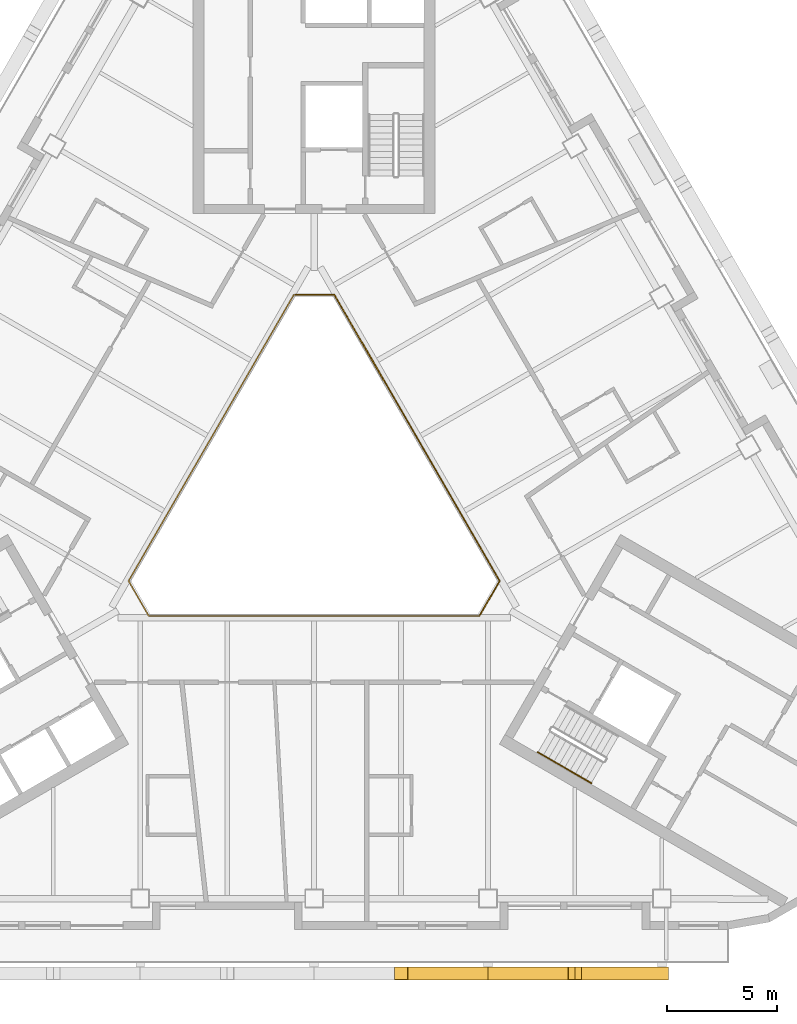
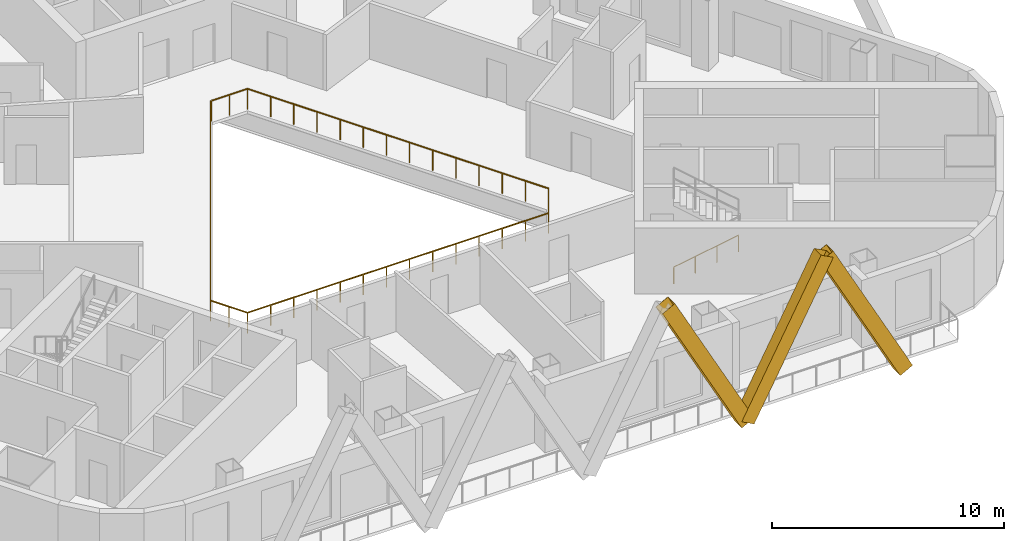
# One storey, part 10 of 13: 3 railings, 3 shading devices.
"""IFC4 building model written with IfcOpenShell, lengths in metres."""

from ifc_helpers import new_model, si_unit, direction, frame, origin, origin_2d, place, context, subcontext, project, spatial, rectangle, hollow_rectangle, circle, extrude, material, material_profile, profile_set, type_object, element, save


model = new_model("IFC4")

# Units and contexts
model_context = context("Model", 3, precision=1e-05, world=origin(), true_north=direction((0.0, 1.0)))
body_context = subcontext(model_context, "Body", "Model", "MODEL_VIEW")
ifc_project = project(units=[si_unit("LENGTHUNIT", "METRE"), si_unit("AREAUNIT", "SQUARE_METRE"), si_unit("VOLUMEUNIT", "CUBIC_METRE"), si_unit("PLANEANGLEUNIT", "RADIAN"), si_unit("MASSUNIT", "GRAM", prefix="KILO")], contexts=[model_context])

# Site, building, storey
site_placement = place(None, origin())
site = spatial("IfcSite", under=ifc_project, at=site_placement, CompositionType="ELEMENT")
building_placement = place(site_placement, origin())
building = spatial("IfcBuilding", under=site, at=building_placement, Name="Apuvela Tower Hotel", CompositionType="ELEMENT")
storey_placement = place(building_placement, frame((0.0, 0.0, 161.39990234375)))
storey = spatial("IfcBuildingStorey", under=building, at=storey_placement, Name="L38", CompositionType="ELEMENT", Elevation=161.39990234375)

# Railing
ifc_material_1 = material(Name="Stainless steel 316 handrail", Category="steel")
railing_type_1 = type_object("IfcRailingType", Name="COR-HANDRAIL-900", PredefinedType="HANDRAIL", material=ifc_material_1)
railing_1_placement = place(storey_placement, frame((10.1689453125, -11.5869140625, 0.168212890625)))
element("IfcRailing", 1, at=railing_1_placement, inside=storey, type_object=railing_type_1, Name="L38 ST3 stair handrail 1", PredefinedType="HANDRAIL", context=body_context, shape_type="SweptSolid", body=[
    extrude(circle(Radius=0.02392578125, at=origin_2d()), frame((0.0, 0.0, 0.8759765625), z_axis=(0.742390482028, -0.42860119049, 0.514934356695), x_axis=(0.49998411664, 0.866034573852, 0.0)), (0.0, 0.0, 1.0), 3.26611328125),
    extrude(rectangle(XDim=0.0419921875, YDim=0.0419921875, at=origin_2d()), origin(), (0.0, 0.0, 1.0), 0.851806640625),
    extrude(rectangle(XDim=0.0419921875, YDim=0.0419921875, at=origin_2d()), frame((0.808349609375, -0.466552734375, 0.560546875)), (0.0, 0.0, 1.0), 0.851806640625),
    extrude(rectangle(XDim=0.0419921875, YDim=0.0419921875, at=origin_2d()), frame((1.616455078125, -0.933349609375, 1.121337890625)), (0.0, 0.0, 1.0), 0.851806640625),
    extrude(rectangle(XDim=0.0419921875, YDim=0.0419921875, at=origin_2d()), frame((2.4248046875, -1.39990234375, 1.681884765625)), (0.0, 0.0, 1.0), 0.851806640625),
])

# Shading devices
ifc_material_2 = material(Name="Aluminium 6063-T6, black anodised", Category="aluminium")
ifc_material_profile = material_profile(ifc_material_2, hollow_rectangle(XDim=0.60009765625, YDim=0.699951171875, WallThickness=0.011962890625, at=origin_2d()), Name="AL BOX 700x600x12")
ifc_profile_set = profile_set([ifc_material_profile], Name="Aluminium 6063-T6, black anodised")
shading_device_type = type_object("IfcShadingDeviceType", Name="ENV-FIN-700x600", PredefinedType="USERDEFINED", material=ifc_profile_set)
for number, where, z_axis, x_axis, name in (
    (2, (7.89990234375, -21.6298828125, -0.099853515625), (-0.470897892863, 0.0, 0.882187720668), (0.0, -1.0, 0.0), "Lattice fin S310"),
    (3, (7.89990234375, -21.6298828125, -0.099853515625), (0.470920543904, 0.0, 0.882175629526), (0.0, 1.0, 0.0), "Lattice fin S311"),
    (4, (15.800048828125, -21.6298828125, -0.099853515625), (-0.470897892863, 0.0, 0.882187720668), (0.0, -1.0, 0.0), "Lattice fin S312"),
):
    element("IfcShadingDevice", number, at=place(storey_placement, frame(where, z_axis=z_axis, x_axis=x_axis)), inside=storey, type_object=shading_device_type, Name=name, ObjectType="FIN", PredefinedType="USERDEFINED", context=body_context, shape_type="SweptSolid", body=[
        extrude(hollow_rectangle(XDim=0.60009765625, YDim=0.699951171875, WallThickness=0.011962890625, at=origin_2d()), origin(), (0.0, 0.0, 1.0), 8.38818359375),
    ])

# Railings
ifc_material_3 = material(Name="Stainless steel 316 rail with laminated glass infill", Category="steel")
railing_type_2 = type_object("IfcRailingType", Name="ENV-GUARD-1100", PredefinedType="GUARDRAIL", material=ifc_material_3)
railing_2_placement = place(storey_placement, frame((-0.923828125, 9.199951171875, 0.0)))
element("IfcRailing", 5, at=railing_2_placement, inside=storey, type_object=railing_type_2, Name="Atrium void guard A L38", PredefinedType="GUARDRAIL", context=body_context, shape_type="SweptSolid", body=[
    extrude(rectangle(XDim=0.050048828125, YDim=0.050048828125, at=origin_2d()), frame((0.0, 0.0, 1.0751953125), z_axis=(-0.499990886379, -0.866030665472, 0.0), x_axis=(0.866030665472, -0.499990886379, 0.0)), (0.0, 0.0, 1.0), 15.010986328125),
    extrude(rectangle(XDim=0.050048828125, YDim=0.050048828125, at=origin_2d()), frame((-7.50537109375, -13.0, 1.0751953125), z_axis=(0.499962699187, -0.866046938348, 0.0), x_axis=(0.866046938348, 0.499962699187, 0.0)), (0.0, 0.0, 1.0), 1.847412109375),
    extrude(rectangle(XDim=0.050048828125, YDim=0.050048828125, at=origin_2d()), frame((-6.581787109375, -14.599853515625, 1.0751953125), z_axis=(1.0, 0.0, 0.0), x_axis=(0.0, 1.0, 0.0)), (0.0, 0.0, 1.0), 15.01123046875),
    extrude(rectangle(XDim=0.0400390625, YDim=0.0400390625, at=origin_2d()), origin(), (0.0, 0.0, 1.0), 1.050048828125),
    extrude(rectangle(XDim=0.0400390625, YDim=0.0400390625, at=origin_2d()), frame((-0.577392578125, -1.0, 0.0)), (0.0, 0.0, 1.0), 1.050048828125),
    extrude(rectangle(XDim=0.0400390625, YDim=0.0400390625, at=origin_2d()), frame((-1.15478515625, -2.0, 0.0)), (0.0, 0.0, 1.0), 1.050048828125),
    extrude(rectangle(XDim=0.0400390625, YDim=0.0400390625, at=origin_2d()), frame((-1.73193359375, -3.0, 0.0)), (0.0, 0.0, 1.0), 1.050048828125),
    extrude(rectangle(XDim=0.0400390625, YDim=0.0400390625, at=origin_2d()), frame((-2.309326171875, -4.0, 0.0)), (0.0, 0.0, 1.0), 1.050048828125),
    extrude(rectangle(XDim=0.0400390625, YDim=0.0400390625, at=origin_2d()), frame((-2.88671875, -5.0, 0.0)), (0.0, 0.0, 1.0), 1.050048828125),
    extrude(rectangle(XDim=0.0400390625, YDim=0.0400390625, at=origin_2d()), frame((-3.464111328125, -6.0, 0.0)), (0.0, 0.0, 1.0), 1.050048828125),
    extrude(rectangle(XDim=0.0400390625, YDim=0.0400390625, at=origin_2d()), frame((-4.041259765625, -7.0, 0.0)), (0.0, 0.0, 1.0), 1.050048828125),
    extrude(rectangle(XDim=0.0400390625, YDim=0.0400390625, at=origin_2d()), frame((-4.61865234375, -8.0, 0.0)), (0.0, 0.0, 1.0), 1.050048828125),
    extrude(rectangle(XDim=0.0400390625, YDim=0.0400390625, at=origin_2d()), frame((-5.196044921875, -9.0, 0.0)), (0.0, 0.0, 1.0), 1.050048828125),
    extrude(rectangle(XDim=0.0400390625, YDim=0.0400390625, at=origin_2d()), frame((-5.7734375, -10.0, 0.0)), (0.0, 0.0, 1.0), 1.050048828125),
    extrude(rectangle(XDim=0.0400390625, YDim=0.0400390625, at=origin_2d()), frame((-6.3505859375, -11.0, 0.0)), (0.0, 0.0, 1.0), 1.050048828125),
    extrude(rectangle(XDim=0.0400390625, YDim=0.0400390625, at=origin_2d()), frame((-6.927978515625, -12.0, 0.0)), (0.0, 0.0, 1.0), 1.050048828125),
    extrude(rectangle(XDim=0.0400390625, YDim=0.0400390625, at=origin_2d()), frame((-7.50537109375, -13.0, 0.0)), (0.0, 0.0, 1.0), 1.050048828125),
    extrude(rectangle(XDim=0.0400390625, YDim=0.0400390625, at=origin_2d()), frame((-7.04345703125, -13.7998046875, 0.0)), (0.0, 0.0, 1.0), 1.050048828125),
    extrude(rectangle(XDim=0.0400390625, YDim=0.0400390625, at=origin_2d()), frame((-6.581787109375, -14.599853515625, 0.0)), (0.0, 0.0, 1.0), 1.050048828125),
    extrude(rectangle(XDim=0.0400390625, YDim=0.0400390625, at=origin_2d()), frame((-5.427001953125, -14.599853515625, 0.0)), (0.0, 0.0, 1.0), 1.050048828125),
    extrude(rectangle(XDim=0.0400390625, YDim=0.0400390625, at=origin_2d()), frame((-4.2724609375, -14.599853515625, 0.0)), (0.0, 0.0, 1.0), 1.050048828125),
    extrude(rectangle(XDim=0.0400390625, YDim=0.0400390625, at=origin_2d()), frame((-3.11767578125, -14.599853515625, 0.0)), (0.0, 0.0, 1.0), 1.050048828125),
    extrude(rectangle(XDim=0.0400390625, YDim=0.0400390625, at=origin_2d()), frame((-1.962890625, -14.599853515625, 0.0)), (0.0, 0.0, 1.0), 1.050048828125),
    extrude(rectangle(XDim=0.0400390625, YDim=0.0400390625, at=origin_2d()), frame((-0.808349609375, -14.599853515625, 0.0)), (0.0, 0.0, 1.0), 1.050048828125),
    extrude(rectangle(XDim=0.0400390625, YDim=0.0400390625, at=origin_2d()), frame((0.346435546875, -14.599853515625, 0.0)), (0.0, 0.0, 1.0), 1.050048828125),
    extrude(rectangle(XDim=0.0400390625, YDim=0.0400390625, at=origin_2d()), frame((1.501220703125, -14.599853515625, 0.0)), (0.0, 0.0, 1.0), 1.050048828125),
    extrude(rectangle(XDim=0.0400390625, YDim=0.0400390625, at=origin_2d()), frame((2.656005859375, -14.599853515625, 0.0)), (0.0, 0.0, 1.0), 1.050048828125),
    extrude(rectangle(XDim=0.0400390625, YDim=0.0400390625, at=origin_2d()), frame((3.810546875, -14.599853515625, 0.0)), (0.0, 0.0, 1.0), 1.050048828125),
    extrude(rectangle(XDim=0.0400390625, YDim=0.0400390625, at=origin_2d()), frame((4.96533203125, -14.599853515625, 0.0)), (0.0, 0.0, 1.0), 1.050048828125),
    extrude(rectangle(XDim=0.0400390625, YDim=0.0400390625, at=origin_2d()), frame((6.1201171875, -14.599853515625, 0.0)), (0.0, 0.0, 1.0), 1.050048828125),
    extrude(rectangle(XDim=0.0400390625, YDim=0.0400390625, at=origin_2d()), frame((7.274658203125, -14.599853515625, 0.0)), (0.0, 0.0, 1.0), 1.050048828125),
    extrude(rectangle(XDim=0.0400390625, YDim=0.0400390625, at=origin_2d()), frame((8.429443359375, -14.599853515625, 0.0)), (0.0, 0.0, 1.0), 1.050048828125),
])
railing_3_placement = place(storey_placement, frame((7.53564453125, -5.347900390625, 0.0)))
element("IfcRailing", 6, at=railing_3_placement, inside=storey, type_object=railing_type_2, Name="Atrium void guard B L38", PredefinedType="GUARDRAIL", context=body_context, shape_type="SweptSolid", body=[
    extrude(rectangle(XDim=0.050048828125, YDim=0.050048828125, at=origin_2d()), frame((0.0, 0.0, 1.0751953125), z_axis=(0.499958946799, 0.866049104564, 0.0), x_axis=(-0.866049104564, 0.499958946799, 0.0)), (0.0, 0.0, 1.0), 1.787353515625),
    extrude(rectangle(XDim=0.050048828125, YDim=0.050048828125, at=origin_2d()), frame((0.8935546875, 1.5478515625, 1.0751953125), z_axis=(-0.499990886379, 0.866030665472, 0.0), x_axis=(-0.866030665472, -0.499990886379, 0.0)), (0.0, 0.0, 1.0), 15.010986328125),
    extrude(rectangle(XDim=0.050048828125, YDim=0.050048828125, at=origin_2d()), frame((-6.61181640625, 14.5478515625, 1.0751953125), z_axis=(-1.0, 0.0, 0.0), x_axis=(0.0, -1.0, 0.0)), (0.0, 0.0, 1.0), 1.78759765625),
    extrude(rectangle(XDim=0.0400390625, YDim=0.0400390625, at=origin_2d()), origin(), (0.0, 0.0, 1.0), 1.050048828125),
    extrude(rectangle(XDim=0.0400390625, YDim=0.0400390625, at=origin_2d()), frame((0.44677734375, 0.77392578125, 0.0)), (0.0, 0.0, 1.0), 1.050048828125),
    extrude(rectangle(XDim=0.0400390625, YDim=0.0400390625, at=origin_2d()), frame((0.8935546875, 1.5478515625, 0.0)), (0.0, 0.0, 1.0), 1.050048828125),
    extrude(rectangle(XDim=0.0400390625, YDim=0.0400390625, at=origin_2d()), frame((0.316162109375, 2.5478515625, 0.0)), (0.0, 0.0, 1.0), 1.050048828125),
    extrude(rectangle(XDim=0.0400390625, YDim=0.0400390625, at=origin_2d()), frame((-0.26123046875, 3.5478515625, 0.0)), (0.0, 0.0, 1.0), 1.050048828125),
    extrude(rectangle(XDim=0.0400390625, YDim=0.0400390625, at=origin_2d()), frame((-0.83837890625, 4.5478515625, 0.0)), (0.0, 0.0, 1.0), 1.050048828125),
    extrude(rectangle(XDim=0.0400390625, YDim=0.0400390625, at=origin_2d()), frame((-1.415771484375, 5.5478515625, 0.0)), (0.0, 0.0, 1.0), 1.050048828125),
    extrude(rectangle(XDim=0.0400390625, YDim=0.0400390625, at=origin_2d()), frame((-1.9931640625, 6.5478515625, 0.0)), (0.0, 0.0, 1.0), 1.050048828125),
    extrude(rectangle(XDim=0.0400390625, YDim=0.0400390625, at=origin_2d()), frame((-2.570556640625, 7.5478515625, 0.0)), (0.0, 0.0, 1.0), 1.050048828125),
    extrude(rectangle(XDim=0.0400390625, YDim=0.0400390625, at=origin_2d()), frame((-3.147705078125, 8.5478515625, 0.0)), (0.0, 0.0, 1.0), 1.050048828125),
    extrude(rectangle(XDim=0.0400390625, YDim=0.0400390625, at=origin_2d()), frame((-3.72509765625, 9.5478515625, 0.0)), (0.0, 0.0, 1.0), 1.050048828125),
    extrude(rectangle(XDim=0.0400390625, YDim=0.0400390625, at=origin_2d()), frame((-4.302490234375, 10.5478515625, 0.0)), (0.0, 0.0, 1.0), 1.050048828125),
    extrude(rectangle(XDim=0.0400390625, YDim=0.0400390625, at=origin_2d()), frame((-4.8798828125, 11.5478515625, 0.0)), (0.0, 0.0, 1.0), 1.050048828125),
    extrude(rectangle(XDim=0.0400390625, YDim=0.0400390625, at=origin_2d()), frame((-5.45703125, 12.5478515625, 0.0)), (0.0, 0.0, 1.0), 1.050048828125),
    extrude(rectangle(XDim=0.0400390625, YDim=0.0400390625, at=origin_2d()), frame((-6.034423828125, 13.5478515625, 0.0)), (0.0, 0.0, 1.0), 1.050048828125),
    extrude(rectangle(XDim=0.0400390625, YDim=0.0400390625, at=origin_2d()), frame((-6.61181640625, 14.5478515625, 0.0)), (0.0, 0.0, 1.0), 1.050048828125),
    extrude(rectangle(XDim=0.0400390625, YDim=0.0400390625, at=origin_2d()), frame((-7.505615234375, 14.5478515625, 0.0)), (0.0, 0.0, 1.0), 1.050048828125),
    extrude(rectangle(XDim=0.0400390625, YDim=0.0400390625, at=origin_2d()), frame((-8.3994140625, 14.5478515625, 0.0)), (0.0, 0.0, 1.0), 1.050048828125),
])

save(model, "model.ifc")
